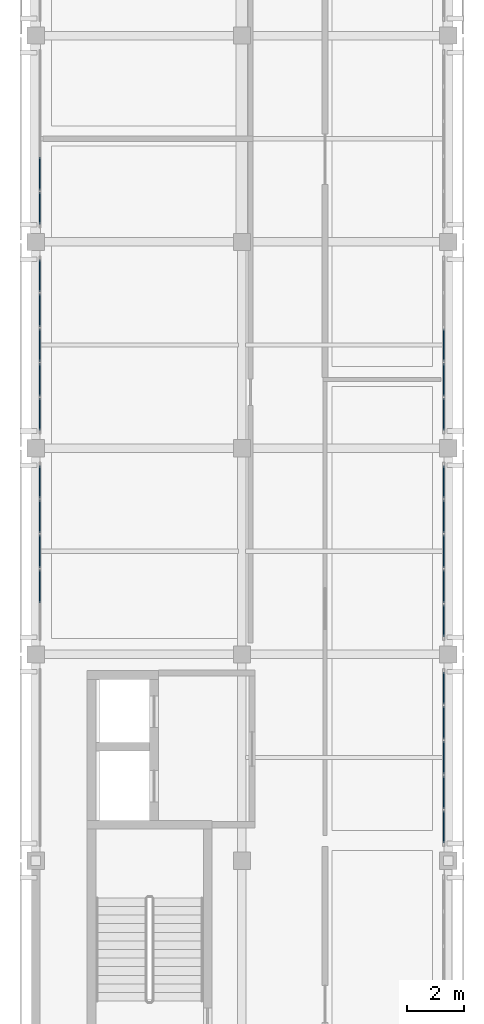
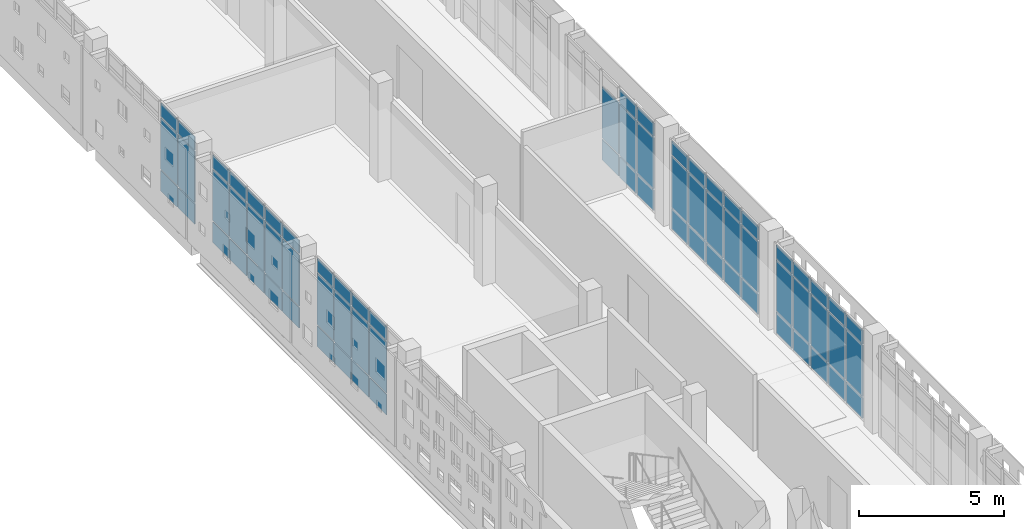
# One storey, part 12 of 21: 71 plates, 6 elements without a shape of their own.
"""IFC4 building model written with IfcOpenShell, lengths in metres."""

from ifc_helpers import new_model, si_unit, direction, frame, origin, origin_2d, place, context, subcontext, project, spatial, rectangle, extrude, material, layer, layer_set, type_object, element, aggregate, save


model = new_model("IFC4")

# Units and contexts
model_context = context("Model", 3, precision=1e-05, world=origin(), true_north=direction((0.0, 1.0)))
body_context = subcontext(model_context, "Body", "Model", "MODEL_VIEW")
ifc_project = project(units=[si_unit("LENGTHUNIT", "METRE"), si_unit("AREAUNIT", "SQUARE_METRE"), si_unit("VOLUMEUNIT", "CUBIC_METRE"), si_unit("PLANEANGLEUNIT", "RADIAN"), si_unit("MASSUNIT", "GRAM", prefix="KILO")], contexts=[model_context])

# Site, building, storey
site_placement = place(None, origin())
site = spatial("IfcSite", under=ifc_project, at=site_placement, CompositionType="ELEMENT")
building_placement = place(site_placement, origin())
building = spatial("IfcBuilding", under=site, at=building_placement, Name="Valkovuoma Quantum and Materials Research Institute", CompositionType="ELEMENT")
storey_placement = place(building_placement, frame((0.0, 0.0, 33.919921875)))
storey = spatial("IfcBuildingStorey", under=building, at=storey_placement, Name="L08", CompositionType="ELEMENT", Elevation=33.919921875)

# Curtain wall, plates
ifc_material_1 = material(Name="Thermally broken aluminium and triple low-E glazing", Category="aluminium")
ifc_layer_1 = layer(ifc_material_1, 0.219970703125)
ifc_layer_set_1 = layer_set([ifc_layer_1], Name="Thermally broken aluminium and triple low-E glazing")
curtain_wall_type = type_object("IfcCurtainWallType", Name="CW-CW-01", PredefinedType="NOTDEFINED", material=ifc_layer_set_1)
curtain_wall_1_placement = place(storey_placement, origin())
curtain_wall_1 = element("IfcCurtainWall", 1, at=curtain_wall_1_placement, inside=storey, type_object=curtain_wall_type, Name="L08 curtain wall 114", PredefinedType="NOTDEFINED")
ifc_material_2 = material(Name="Triple low-E argon insulating glass", Category="glass")
ifc_layer_2 = layer(ifc_material_2, 0.035888671875)
ifc_layer_set_2 = layer_set([ifc_layer_2], Name="Triple low-E argon insulating glass")
plate_type_1 = type_object("IfcPlateType", Name="CWPanel-CWP-01", PredefinedType="CURTAIN_PANEL", material=ifc_layer_set_2)
plate_1_placement = place(storey_placement, frame((0.14990234375, 45.582763671875, 0.06494140625), z_axis=(0.0, 0.0, 1.0), x_axis=(0.0, 1.0, 0.0)))
plate_1 = element("IfcPlate", 2, at=plate_1_placement, type_object=plate_type_1, Name="CW-01 panel 2.1", PredefinedType="CURTAIN_PANEL", context=body_context, shape_type="SweptSolid", body=[
    extrude(rectangle(XDim=1.152099609375, YDim=0.035888671875, at=origin_2d()), origin(), (0.0, 0.0, 1.0), 0.8525390625),
])
plate_2_placement = place(storey_placement, frame((0.14990234375, 45.582763671875, 0.982666015625), z_axis=(0.0, 0.0, 1.0), x_axis=(0.0, 1.0, 0.0)))
plate_2 = element("IfcPlate", 3, at=plate_2_placement, type_object=plate_type_1, Name="CW-01 panel 2.2", PredefinedType="CURTAIN_PANEL", context=body_context, shape_type="SweptSolid", body=[
    extrude(rectangle(XDim=1.152099609375, YDim=0.035888671875, at=origin_2d()), origin(), (0.0, 0.0, 1.0), 2.14501953125),
])
plate_3_placement = place(storey_placement, frame((0.14990234375, 45.582763671875, 3.1923828125), z_axis=(0.0, 0.0, 1.0), x_axis=(0.0, 1.0, 0.0)))
plate_3 = element("IfcPlate", 4, at=plate_3_placement, type_object=plate_type_1, Name="CW-01 panel 2.3", PredefinedType="CURTAIN_PANEL", context=body_context, shape_type="SweptSolid", body=[
    extrude(rectangle(XDim=1.152099609375, YDim=0.035888671875, at=origin_2d()), origin(), (0.0, 0.0, 1.0), 0.552490234375),
])
plate_4_placement = place(storey_placement, frame((0.14990234375, 46.800048828125, 0.06494140625), z_axis=(0.0, 0.0, 1.0), x_axis=(0.0, 1.0, 0.0)))
plate_4 = element("IfcPlate", 5, at=plate_4_placement, type_object=plate_type_1, Name="CW-01 panel 3.1", PredefinedType="CURTAIN_PANEL", context=body_context, shape_type="SweptSolid", body=[
    extrude(rectangle(XDim=1.152099609375, YDim=0.035888671875, at=origin_2d()), origin(), (0.0, 0.0, 1.0), 0.8525390625),
])
plate_5_placement = place(storey_placement, frame((0.14990234375, 46.800048828125, 0.982666015625), z_axis=(0.0, 0.0, 1.0), x_axis=(0.0, 1.0, 0.0)))
plate_5 = element("IfcPlate", 6, at=plate_5_placement, type_object=plate_type_1, Name="CW-01 panel 3.2", PredefinedType="CURTAIN_PANEL", context=body_context, shape_type="SweptSolid", body=[
    extrude(rectangle(XDim=1.152099609375, YDim=0.035888671875, at=origin_2d()), origin(), (0.0, 0.0, 1.0), 2.14501953125),
])
plate_6_placement = place(storey_placement, frame((0.14990234375, 46.800048828125, 3.1923828125), z_axis=(0.0, 0.0, 1.0), x_axis=(0.0, 1.0, 0.0)))
plate_6 = element("IfcPlate", 7, at=plate_6_placement, type_object=plate_type_1, Name="CW-01 panel 3.3", PredefinedType="CURTAIN_PANEL", context=body_context, shape_type="SweptSolid", body=[
    extrude(rectangle(XDim=1.152099609375, YDim=0.035888671875, at=origin_2d()), origin(), (0.0, 0.0, 1.0), 0.552490234375),
])
plate_7_placement = place(storey_placement, frame((0.14990234375, 48.01708984375, 0.06494140625), z_axis=(0.0, 0.0, 1.0), x_axis=(0.0, 1.0, 0.0)))
plate_7 = element("IfcPlate", 8, at=plate_7_placement, type_object=plate_type_1, Name="CW-01 panel 4.1", PredefinedType="CURTAIN_PANEL", context=body_context, shape_type="SweptSolid", body=[
    extrude(rectangle(XDim=1.152099609375, YDim=0.035888671875, at=origin_2d()), origin(), (0.0, 0.0, 1.0), 0.8525390625),
])
plate_8_placement = place(storey_placement, frame((0.14990234375, 48.01708984375, 0.982666015625), z_axis=(0.0, 0.0, 1.0), x_axis=(0.0, 1.0, 0.0)))
plate_8 = element("IfcPlate", 9, at=plate_8_placement, type_object=plate_type_1, Name="CW-01 panel 4.2", PredefinedType="CURTAIN_PANEL", context=body_context, shape_type="SweptSolid", body=[
    extrude(rectangle(XDim=1.152099609375, YDim=0.035888671875, at=origin_2d()), origin(), (0.0, 0.0, 1.0), 2.14501953125),
])
plate_9_placement = place(storey_placement, frame((0.14990234375, 48.01708984375, 3.1923828125), z_axis=(0.0, 0.0, 1.0), x_axis=(0.0, 1.0, 0.0)))
plate_9 = element("IfcPlate", 10, at=plate_9_placement, type_object=plate_type_1, Name="CW-01 panel 4.3", PredefinedType="CURTAIN_PANEL", context=body_context, shape_type="SweptSolid", body=[
    extrude(rectangle(XDim=1.152099609375, YDim=0.035888671875, at=origin_2d()), origin(), (0.0, 0.0, 1.0), 0.552490234375),
])
plate_10_placement = place(storey_placement, frame((0.14990234375, 49.218017578125, 0.06494140625), z_axis=(0.0, 0.0, 1.0), x_axis=(0.0, 1.0, 0.0)))
plate_10 = element("IfcPlate", 11, at=plate_10_placement, type_object=plate_type_1, Name="CW-01 panel 5.1", PredefinedType="CURTAIN_PANEL", context=body_context, shape_type="SweptSolid", body=[
    extrude(rectangle(XDim=1.11962890625, YDim=0.035888671875, at=origin_2d()), origin(), (0.0, 0.0, 1.0), 0.8525390625),
])
plate_11_placement = place(storey_placement, frame((0.14990234375, 49.218017578125, 0.982666015625), z_axis=(0.0, 0.0, 1.0), x_axis=(0.0, 1.0, 0.0)))
plate_11 = element("IfcPlate", 12, at=plate_11_placement, type_object=plate_type_1, Name="CW-01 panel 5.2", PredefinedType="CURTAIN_PANEL", context=body_context, shape_type="SweptSolid", body=[
    extrude(rectangle(XDim=1.11962890625, YDim=0.035888671875, at=origin_2d()), origin(), (0.0, 0.0, 1.0), 2.14501953125),
])
plate_12_placement = place(storey_placement, frame((0.14990234375, 49.218017578125, 3.1923828125), z_axis=(0.0, 0.0, 1.0), x_axis=(0.0, 1.0, 0.0)))
plate_12 = element("IfcPlate", 13, at=plate_12_placement, type_object=plate_type_1, Name="CW-01 panel 5.3", PredefinedType="CURTAIN_PANEL", context=body_context, shape_type="SweptSolid", body=[
    extrude(rectangle(XDim=1.11962890625, YDim=0.035888671875, at=origin_2d()), origin(), (0.0, 0.0, 1.0), 0.552490234375),
])
aggregate(curtain_wall_1, [plate_1, plate_2, plate_3, plate_4, plate_5, plate_6, plate_7, plate_8, plate_9, plate_10, plate_11, plate_12])

curtain_wall_2_placement = place(storey_placement, origin())
curtain_wall_2 = element("IfcCurtainWall", 14, at=curtain_wall_2_placement, inside=storey, type_object=curtain_wall_type, Name="L08 curtain wall 116", PredefinedType="NOTDEFINED")
plate_13_placement = place(storey_placement, frame((0.14990234375, 51.58203125, 0.06494140625), z_axis=(0.0, 0.0, 1.0), x_axis=(0.0, 1.0, 0.0)))
plate_13 = element("IfcPlate", 15, at=plate_13_placement, type_object=plate_type_1, Name="CW-01 panel 1.1", PredefinedType="CURTAIN_PANEL", context=body_context, shape_type="SweptSolid", body=[
    extrude(rectangle(XDim=1.11962890625, YDim=0.035888671875, at=origin_2d()), origin(), (0.0, 0.0, 1.0), 0.8525390625),
])
plate_14_placement = place(storey_placement, frame((0.14990234375, 51.58203125, 0.982666015625), z_axis=(0.0, 0.0, 1.0), x_axis=(0.0, 1.0, 0.0)))
plate_14 = element("IfcPlate", 16, at=plate_14_placement, type_object=plate_type_1, Name="CW-01 panel 1.2", PredefinedType="CURTAIN_PANEL", context=body_context, shape_type="SweptSolid", body=[
    extrude(rectangle(XDim=1.11962890625, YDim=0.035888671875, at=origin_2d()), origin(), (0.0, 0.0, 1.0), 2.14501953125),
])
plate_15_placement = place(storey_placement, frame((0.14990234375, 51.58203125, 3.1923828125), z_axis=(0.0, 0.0, 1.0), x_axis=(0.0, 1.0, 0.0)))
plate_15 = element("IfcPlate", 17, at=plate_15_placement, type_object=plate_type_1, Name="CW-01 panel 1.3", PredefinedType="CURTAIN_PANEL", context=body_context, shape_type="SweptSolid", body=[
    extrude(rectangle(XDim=1.11962890625, YDim=0.035888671875, at=origin_2d()), origin(), (0.0, 0.0, 1.0), 0.552490234375),
])
plate_16_placement = place(storey_placement, frame((0.14990234375, 52.782958984375, 0.06494140625), z_axis=(0.0, 0.0, 1.0), x_axis=(0.0, 1.0, 0.0)))
plate_16 = element("IfcPlate", 18, at=plate_16_placement, type_object=plate_type_1, Name="CW-01 panel 2.1", PredefinedType="CURTAIN_PANEL", context=body_context, shape_type="SweptSolid", body=[
    extrude(rectangle(XDim=1.152099609375, YDim=0.035888671875, at=origin_2d()), origin(), (0.0, 0.0, 1.0), 0.8525390625),
])
plate_17_placement = place(storey_placement, frame((0.14990234375, 52.782958984375, 0.982666015625), z_axis=(0.0, 0.0, 1.0), x_axis=(0.0, 1.0, 0.0)))
plate_17 = element("IfcPlate", 19, at=plate_17_placement, type_object=plate_type_1, Name="CW-01 panel 2.2", PredefinedType="CURTAIN_PANEL", context=body_context, shape_type="SweptSolid", body=[
    extrude(rectangle(XDim=1.152099609375, YDim=0.035888671875, at=origin_2d()), origin(), (0.0, 0.0, 1.0), 2.14501953125),
])
plate_18_placement = place(storey_placement, frame((0.14990234375, 52.782958984375, 3.1923828125), z_axis=(0.0, 0.0, 1.0), x_axis=(0.0, 1.0, 0.0)))
plate_18 = element("IfcPlate", 20, at=plate_18_placement, type_object=plate_type_1, Name="CW-01 panel 2.3", PredefinedType="CURTAIN_PANEL", context=body_context, shape_type="SweptSolid", body=[
    extrude(rectangle(XDim=1.152099609375, YDim=0.035888671875, at=origin_2d()), origin(), (0.0, 0.0, 1.0), 0.552490234375),
])
plate_19_placement = place(storey_placement, frame((0.14990234375, 54.0, 0.06494140625), z_axis=(0.0, 0.0, 1.0), x_axis=(0.0, 1.0, 0.0)))
plate_19 = element("IfcPlate", 21, at=plate_19_placement, type_object=plate_type_1, Name="CW-01 panel 3.1", PredefinedType="CURTAIN_PANEL", context=body_context, shape_type="SweptSolid", body=[
    extrude(rectangle(XDim=1.152099609375, YDim=0.035888671875, at=origin_2d()), origin(), (0.0, 0.0, 1.0), 0.8525390625),
])
plate_20_placement = place(storey_placement, frame((0.14990234375, 54.0, 0.982666015625), z_axis=(0.0, 0.0, 1.0), x_axis=(0.0, 1.0, 0.0)))
plate_20 = element("IfcPlate", 22, at=plate_20_placement, type_object=plate_type_1, Name="CW-01 panel 3.2", PredefinedType="CURTAIN_PANEL", context=body_context, shape_type="SweptSolid", body=[
    extrude(rectangle(XDim=1.152099609375, YDim=0.035888671875, at=origin_2d()), origin(), (0.0, 0.0, 1.0), 2.14501953125),
])
plate_21_placement = place(storey_placement, frame((0.14990234375, 54.0, 3.1923828125), z_axis=(0.0, 0.0, 1.0), x_axis=(0.0, 1.0, 0.0)))
plate_21 = element("IfcPlate", 23, at=plate_21_placement, type_object=plate_type_1, Name="CW-01 panel 3.3", PredefinedType="CURTAIN_PANEL", context=body_context, shape_type="SweptSolid", body=[
    extrude(rectangle(XDim=1.152099609375, YDim=0.035888671875, at=origin_2d()), origin(), (0.0, 0.0, 1.0), 0.552490234375),
])
plate_22_placement = place(storey_placement, frame((0.14990234375, 55.217041015625, 0.06494140625), z_axis=(0.0, 0.0, 1.0), x_axis=(0.0, 1.0, 0.0)))
plate_22 = element("IfcPlate", 24, at=plate_22_placement, type_object=plate_type_1, Name="CW-01 panel 4.1", PredefinedType="CURTAIN_PANEL", context=body_context, shape_type="SweptSolid", body=[
    extrude(rectangle(XDim=1.152099609375, YDim=0.035888671875, at=origin_2d()), origin(), (0.0, 0.0, 1.0), 0.8525390625),
])
plate_23_placement = place(storey_placement, frame((0.14990234375, 55.217041015625, 0.982666015625), z_axis=(0.0, 0.0, 1.0), x_axis=(0.0, 1.0, 0.0)))
plate_23 = element("IfcPlate", 25, at=plate_23_placement, type_object=plate_type_1, Name="CW-01 panel 4.2", PredefinedType="CURTAIN_PANEL", context=body_context, shape_type="SweptSolid", body=[
    extrude(rectangle(XDim=1.152099609375, YDim=0.035888671875, at=origin_2d()), origin(), (0.0, 0.0, 1.0), 2.14501953125),
])
plate_24_placement = place(storey_placement, frame((0.14990234375, 55.217041015625, 3.1923828125), z_axis=(0.0, 0.0, 1.0), x_axis=(0.0, 1.0, 0.0)))
plate_24 = element("IfcPlate", 26, at=plate_24_placement, type_object=plate_type_1, Name="CW-01 panel 4.3", PredefinedType="CURTAIN_PANEL", context=body_context, shape_type="SweptSolid", body=[
    extrude(rectangle(XDim=1.152099609375, YDim=0.035888671875, at=origin_2d()), origin(), (0.0, 0.0, 1.0), 0.552490234375),
])
plate_25_placement = place(storey_placement, frame((0.14990234375, 56.41796875, 0.06494140625), z_axis=(0.0, 0.0, 1.0), x_axis=(0.0, 1.0, 0.0)))
plate_25 = element("IfcPlate", 27, at=plate_25_placement, type_object=plate_type_1, Name="CW-01 panel 5.1", PredefinedType="CURTAIN_PANEL", context=body_context, shape_type="SweptSolid", body=[
    extrude(rectangle(XDim=1.11962890625, YDim=0.035888671875, at=origin_2d()), origin(), (0.0, 0.0, 1.0), 0.8525390625),
])
plate_26_placement = place(storey_placement, frame((0.14990234375, 56.41796875, 0.982666015625), z_axis=(0.0, 0.0, 1.0), x_axis=(0.0, 1.0, 0.0)))
plate_26 = element("IfcPlate", 28, at=plate_26_placement, type_object=plate_type_1, Name="CW-01 panel 5.2", PredefinedType="CURTAIN_PANEL", context=body_context, shape_type="SweptSolid", body=[
    extrude(rectangle(XDim=1.11962890625, YDim=0.035888671875, at=origin_2d()), origin(), (0.0, 0.0, 1.0), 2.14501953125),
])
plate_27_placement = place(storey_placement, frame((0.14990234375, 56.41796875, 3.1923828125), z_axis=(0.0, 0.0, 1.0), x_axis=(0.0, 1.0, 0.0)))
plate_27 = element("IfcPlate", 29, at=plate_27_placement, type_object=plate_type_1, Name="CW-01 panel 5.3", PredefinedType="CURTAIN_PANEL", context=body_context, shape_type="SweptSolid", body=[
    extrude(rectangle(XDim=1.11962890625, YDim=0.035888671875, at=origin_2d()), origin(), (0.0, 0.0, 1.0), 0.552490234375),
])
aggregate(curtain_wall_2, [plate_13, plate_14, plate_15, plate_16, plate_17, plate_18, plate_19, plate_20, plate_21, plate_22, plate_23, plate_24, plate_25, plate_26, plate_27])

curtain_wall_3_placement = place(storey_placement, origin())
curtain_wall_3 = element("IfcCurtainWall", 30, at=curtain_wall_3_placement, inside=storey, type_object=curtain_wall_type, Name="L08 curtain wall 118", PredefinedType="NOTDEFINED")
plate_28_placement = place(storey_placement, frame((0.14990234375, 58.781982421875, 0.06494140625), z_axis=(0.0, 0.0, 1.0), x_axis=(0.0, 1.0, 0.0)))
plate_28 = element("IfcPlate", 31, at=plate_28_placement, type_object=plate_type_1, Name="CW-01 panel 1.1", PredefinedType="CURTAIN_PANEL", context=body_context, shape_type="SweptSolid", body=[
    extrude(rectangle(XDim=1.11962890625, YDim=0.035888671875, at=origin_2d()), origin(), (0.0, 0.0, 1.0), 0.8525390625),
])
plate_29_placement = place(storey_placement, frame((0.14990234375, 58.781982421875, 0.982666015625), z_axis=(0.0, 0.0, 1.0), x_axis=(0.0, 1.0, 0.0)))
plate_29 = element("IfcPlate", 32, at=plate_29_placement, type_object=plate_type_1, Name="CW-01 panel 1.2", PredefinedType="CURTAIN_PANEL", context=body_context, shape_type="SweptSolid", body=[
    extrude(rectangle(XDim=1.11962890625, YDim=0.035888671875, at=origin_2d()), origin(), (0.0, 0.0, 1.0), 2.14501953125),
])
plate_30_placement = place(storey_placement, frame((0.14990234375, 58.781982421875, 3.1923828125), z_axis=(0.0, 0.0, 1.0), x_axis=(0.0, 1.0, 0.0)))
plate_30 = element("IfcPlate", 33, at=plate_30_placement, type_object=plate_type_1, Name="CW-01 panel 1.3", PredefinedType="CURTAIN_PANEL", context=body_context, shape_type="SweptSolid", body=[
    extrude(rectangle(XDim=1.11962890625, YDim=0.035888671875, at=origin_2d()), origin(), (0.0, 0.0, 1.0), 0.552490234375),
])
plate_31_placement = place(storey_placement, frame((0.14990234375, 59.98291015625, 0.06494140625), z_axis=(0.0, 0.0, 1.0), x_axis=(0.0, 1.0, 0.0)))
plate_31 = element("IfcPlate", 34, at=plate_31_placement, type_object=plate_type_1, Name="CW-01 panel 2.1", PredefinedType="CURTAIN_PANEL", context=body_context, shape_type="SweptSolid", body=[
    extrude(rectangle(XDim=1.152099609375, YDim=0.035888671875, at=origin_2d()), origin(), (0.0, 0.0, 1.0), 0.8525390625),
])
plate_32_placement = place(storey_placement, frame((0.14990234375, 59.98291015625, 0.982666015625), z_axis=(0.0, 0.0, 1.0), x_axis=(0.0, 1.0, 0.0)))
plate_32 = element("IfcPlate", 35, at=plate_32_placement, type_object=plate_type_1, Name="CW-01 panel 2.2", PredefinedType="CURTAIN_PANEL", context=body_context, shape_type="SweptSolid", body=[
    extrude(rectangle(XDim=1.152099609375, YDim=0.035888671875, at=origin_2d()), origin(), (0.0, 0.0, 1.0), 2.14501953125),
])
plate_33_placement = place(storey_placement, frame((0.14990234375, 59.98291015625, 3.1923828125), z_axis=(0.0, 0.0, 1.0), x_axis=(0.0, 1.0, 0.0)))
plate_33 = element("IfcPlate", 36, at=plate_33_placement, type_object=plate_type_1, Name="CW-01 panel 2.3", PredefinedType="CURTAIN_PANEL", context=body_context, shape_type="SweptSolid", body=[
    extrude(rectangle(XDim=1.152099609375, YDim=0.035888671875, at=origin_2d()), origin(), (0.0, 0.0, 1.0), 0.552490234375),
])
aggregate(curtain_wall_3, [plate_28, plate_29, plate_30, plate_31, plate_32, plate_33])

curtain_wall_4_placement = place(storey_placement, origin())
curtain_wall_4 = element("IfcCurtainWall", 37, at=curtain_wall_4_placement, inside=storey, type_object=curtain_wall_type, Name="L08 curtain wall 113", PredefinedType="NOTDEFINED")
ifc_material_3 = material(Name="Triple low-E argon insulating glass", Category="glass")
ifc_layer_3 = layer(ifc_material_3, 0.0419921875)
ifc_layer_set_3 = layer_set([ifc_layer_3], Name="Triple low-E argon insulating glass")
plate_type_2 = type_object("IfcPlateType", Name="CWPanel-CWP-02", PredefinedType="CURTAIN_PANEL", material=ifc_layer_set_3)
plate_34_placement = place(storey_placement, frame((14.25, 37.181884765625, 0.06494140625), z_axis=(0.0, 0.0, 1.0), x_axis=(0.0, 1.0, 0.0)))
plate_34 = element("IfcPlate", 38, at=plate_34_placement, type_object=plate_type_2, Name="CW-01 panel 1.1", PredefinedType="CURTAIN_PANEL", context=body_context, shape_type="SweptSolid", body=[
    extrude(rectangle(XDim=1.11962890625, YDim=0.0419921875, at=origin_2d()), origin(), (0.0, 0.0, 1.0), 0.8525390625),
])
plate_35_placement = place(storey_placement, frame((14.25, 37.181884765625, 0.982666015625), z_axis=(0.0, 0.0, 1.0), x_axis=(0.0, 1.0, 0.0)))
plate_35 = element("IfcPlate", 39, at=plate_35_placement, type_object=plate_type_2, Name="CW-01 panel 1.2", PredefinedType="CURTAIN_PANEL", context=body_context, shape_type="SweptSolid", body=[
    extrude(rectangle(XDim=1.11962890625, YDim=0.0419921875, at=origin_2d()), origin(), (0.0, 0.0, 1.0), 2.14501953125),
])
plate_36_placement = place(storey_placement, frame((14.25, 37.181884765625, 3.1923828125), z_axis=(0.0, 0.0, 1.0), x_axis=(0.0, 1.0, 0.0)))
plate_36 = element("IfcPlate", 40, at=plate_36_placement, type_object=plate_type_2, Name="CW-01 panel 1.3", PredefinedType="CURTAIN_PANEL", context=body_context, shape_type="SweptSolid", body=[
    extrude(rectangle(XDim=1.11962890625, YDim=0.0419921875, at=origin_2d()), origin(), (0.0, 0.0, 1.0), 0.552490234375),
])
plate_37_placement = place(storey_placement, frame((14.25, 38.3828125, 0.06494140625), z_axis=(0.0, 0.0, 1.0), x_axis=(0.0, 1.0, 0.0)))
plate_37 = element("IfcPlate", 41, at=plate_37_placement, type_object=plate_type_2, Name="CW-01 panel 2.1", PredefinedType="CURTAIN_PANEL", context=body_context, shape_type="SweptSolid", body=[
    extrude(rectangle(XDim=1.152099609375, YDim=0.0419921875, at=origin_2d()), origin(), (0.0, 0.0, 1.0), 0.8525390625),
])
plate_38_placement = place(storey_placement, frame((14.25, 38.3828125, 0.982666015625), z_axis=(0.0, 0.0, 1.0), x_axis=(0.0, 1.0, 0.0)))
plate_38 = element("IfcPlate", 42, at=plate_38_placement, type_object=plate_type_2, Name="CW-01 panel 2.2", PredefinedType="CURTAIN_PANEL", context=body_context, shape_type="SweptSolid", body=[
    extrude(rectangle(XDim=1.152099609375, YDim=0.0419921875, at=origin_2d()), origin(), (0.0, 0.0, 1.0), 2.14501953125),
])
plate_39_placement = place(storey_placement, frame((14.25, 38.3828125, 3.1923828125), z_axis=(0.0, 0.0, 1.0), x_axis=(0.0, 1.0, 0.0)))
plate_39 = element("IfcPlate", 43, at=plate_39_placement, type_object=plate_type_2, Name="CW-01 panel 2.3", PredefinedType="CURTAIN_PANEL", context=body_context, shape_type="SweptSolid", body=[
    extrude(rectangle(XDim=1.152099609375, YDim=0.0419921875, at=origin_2d()), origin(), (0.0, 0.0, 1.0), 0.552490234375),
])
plate_40_placement = place(storey_placement, frame((14.25, 39.60009765625, 0.06494140625), z_axis=(0.0, 0.0, 1.0), x_axis=(0.0, 1.0, 0.0)))
plate_40 = element("IfcPlate", 44, at=plate_40_placement, type_object=plate_type_2, Name="CW-01 panel 3.1", PredefinedType="CURTAIN_PANEL", context=body_context, shape_type="SweptSolid", body=[
    extrude(rectangle(XDim=1.152099609375, YDim=0.0419921875, at=origin_2d()), origin(), (0.0, 0.0, 1.0), 0.8525390625),
])
plate_41_placement = place(storey_placement, frame((14.25, 39.60009765625, 0.982666015625), z_axis=(0.0, 0.0, 1.0), x_axis=(0.0, 1.0, 0.0)))
plate_41 = element("IfcPlate", 45, at=plate_41_placement, type_object=plate_type_2, Name="CW-01 panel 3.2", PredefinedType="CURTAIN_PANEL", context=body_context, shape_type="SweptSolid", body=[
    extrude(rectangle(XDim=1.152099609375, YDim=0.0419921875, at=origin_2d()), origin(), (0.0, 0.0, 1.0), 2.14501953125),
])
plate_42_placement = place(storey_placement, frame((14.25, 39.60009765625, 3.1923828125), z_axis=(0.0, 0.0, 1.0), x_axis=(0.0, 1.0, 0.0)))
plate_42 = element("IfcPlate", 46, at=plate_42_placement, type_object=plate_type_2, Name="CW-01 panel 3.3", PredefinedType="CURTAIN_PANEL", context=body_context, shape_type="SweptSolid", body=[
    extrude(rectangle(XDim=1.152099609375, YDim=0.0419921875, at=origin_2d()), origin(), (0.0, 0.0, 1.0), 0.552490234375),
])
plate_43_placement = place(storey_placement, frame((14.25, 40.817138671875, 0.06494140625), z_axis=(0.0, 0.0, 1.0), x_axis=(0.0, 1.0, 0.0)))
plate_43 = element("IfcPlate", 47, at=plate_43_placement, type_object=plate_type_2, Name="CW-01 panel 4.1", PredefinedType="CURTAIN_PANEL", context=body_context, shape_type="SweptSolid", body=[
    extrude(rectangle(XDim=1.152099609375, YDim=0.0419921875, at=origin_2d()), origin(), (0.0, 0.0, 1.0), 0.8525390625),
])
plate_44_placement = place(storey_placement, frame((14.25, 40.817138671875, 0.982666015625), z_axis=(0.0, 0.0, 1.0), x_axis=(0.0, 1.0, 0.0)))
plate_44 = element("IfcPlate", 48, at=plate_44_placement, type_object=plate_type_2, Name="CW-01 panel 4.2", PredefinedType="CURTAIN_PANEL", context=body_context, shape_type="SweptSolid", body=[
    extrude(rectangle(XDim=1.152099609375, YDim=0.0419921875, at=origin_2d()), origin(), (0.0, 0.0, 1.0), 2.14501953125),
])
plate_45_placement = place(storey_placement, frame((14.25, 40.817138671875, 3.1923828125), z_axis=(0.0, 0.0, 1.0), x_axis=(0.0, 1.0, 0.0)))
plate_45 = element("IfcPlate", 49, at=plate_45_placement, type_object=plate_type_2, Name="CW-01 panel 4.3", PredefinedType="CURTAIN_PANEL", context=body_context, shape_type="SweptSolid", body=[
    extrude(rectangle(XDim=1.152099609375, YDim=0.0419921875, at=origin_2d()), origin(), (0.0, 0.0, 1.0), 0.552490234375),
])
plate_46_placement = place(storey_placement, frame((14.25, 42.01806640625, 0.06494140625), z_axis=(0.0, 0.0, 1.0), x_axis=(0.0, 1.0, 0.0)))
plate_46 = element("IfcPlate", 50, at=plate_46_placement, type_object=plate_type_2, Name="CW-01 panel 5.1", PredefinedType="CURTAIN_PANEL", context=body_context, shape_type="SweptSolid", body=[
    extrude(rectangle(XDim=1.11962890625, YDim=0.0419921875, at=origin_2d()), origin(), (0.0, 0.0, 1.0), 0.8525390625),
])
plate_47_placement = place(storey_placement, frame((14.25, 42.01806640625, 0.982666015625), z_axis=(0.0, 0.0, 1.0), x_axis=(0.0, 1.0, 0.0)))
plate_47 = element("IfcPlate", 51, at=plate_47_placement, type_object=plate_type_2, Name="CW-01 panel 5.2", PredefinedType="CURTAIN_PANEL", context=body_context, shape_type="SweptSolid", body=[
    extrude(rectangle(XDim=1.11962890625, YDim=0.0419921875, at=origin_2d()), origin(), (0.0, 0.0, 1.0), 2.14501953125),
])
plate_48_placement = place(storey_placement, frame((14.25, 42.01806640625, 3.1923828125), z_axis=(0.0, 0.0, 1.0), x_axis=(0.0, 1.0, 0.0)))
plate_48 = element("IfcPlate", 52, at=plate_48_placement, type_object=plate_type_2, Name="CW-01 panel 5.3", PredefinedType="CURTAIN_PANEL", context=body_context, shape_type="SweptSolid", body=[
    extrude(rectangle(XDim=1.11962890625, YDim=0.0419921875, at=origin_2d()), origin(), (0.0, 0.0, 1.0), 0.552490234375),
])
aggregate(curtain_wall_4, [plate_34, plate_35, plate_36, plate_37, plate_38, plate_39, plate_40, plate_41, plate_42, plate_43, plate_44, plate_45, plate_46, plate_47, plate_48])

curtain_wall_5_placement = place(storey_placement, origin())
curtain_wall_5 = element("IfcCurtainWall", 53, at=curtain_wall_5_placement, inside=storey, type_object=curtain_wall_type, Name="L08 curtain wall 115", PredefinedType="NOTDEFINED")
plate_49_placement = place(storey_placement, frame((14.25, 44.3818359375, 0.06494140625), z_axis=(0.0, 0.0, 1.0), x_axis=(0.0, 1.0, 0.0)))
plate_49 = element("IfcPlate", 54, at=plate_49_placement, type_object=plate_type_2, Name="CW-01 panel 1.1", PredefinedType="CURTAIN_PANEL", context=body_context, shape_type="SweptSolid", body=[
    extrude(rectangle(XDim=1.11962890625, YDim=0.0419921875, at=origin_2d()), origin(), (0.0, 0.0, 1.0), 0.8525390625),
])
plate_50_placement = place(storey_placement, frame((14.25, 44.3818359375, 0.982666015625), z_axis=(0.0, 0.0, 1.0), x_axis=(0.0, 1.0, 0.0)))
plate_50 = element("IfcPlate", 55, at=plate_50_placement, type_object=plate_type_2, Name="CW-01 panel 1.2", PredefinedType="CURTAIN_PANEL", context=body_context, shape_type="SweptSolid", body=[
    extrude(rectangle(XDim=1.11962890625, YDim=0.0419921875, at=origin_2d()), origin(), (0.0, 0.0, 1.0), 2.14501953125),
])
plate_51_placement = place(storey_placement, frame((14.25, 44.3818359375, 3.1923828125), z_axis=(0.0, 0.0, 1.0), x_axis=(0.0, 1.0, 0.0)))
plate_51 = element("IfcPlate", 56, at=plate_51_placement, type_object=plate_type_2, Name="CW-01 panel 1.3", PredefinedType="CURTAIN_PANEL", context=body_context, shape_type="SweptSolid", body=[
    extrude(rectangle(XDim=1.11962890625, YDim=0.0419921875, at=origin_2d()), origin(), (0.0, 0.0, 1.0), 0.552490234375),
])
plate_52_placement = place(storey_placement, frame((14.25, 45.582763671875, 0.06494140625), z_axis=(0.0, 0.0, 1.0), x_axis=(0.0, 1.0, 0.0)))
plate_52 = element("IfcPlate", 57, at=plate_52_placement, type_object=plate_type_2, Name="CW-01 panel 2.1", PredefinedType="CURTAIN_PANEL", context=body_context, shape_type="SweptSolid", body=[
    extrude(rectangle(XDim=1.152099609375, YDim=0.0419921875, at=origin_2d()), origin(), (0.0, 0.0, 1.0), 0.8525390625),
])
plate_53_placement = place(storey_placement, frame((14.25, 45.582763671875, 0.982666015625), z_axis=(0.0, 0.0, 1.0), x_axis=(0.0, 1.0, 0.0)))
plate_53 = element("IfcPlate", 58, at=plate_53_placement, type_object=plate_type_2, Name="CW-01 panel 2.2", PredefinedType="CURTAIN_PANEL", context=body_context, shape_type="SweptSolid", body=[
    extrude(rectangle(XDim=1.152099609375, YDim=0.0419921875, at=origin_2d()), origin(), (0.0, 0.0, 1.0), 2.14501953125),
])
plate_54_placement = place(storey_placement, frame((14.25, 45.582763671875, 3.1923828125), z_axis=(0.0, 0.0, 1.0), x_axis=(0.0, 1.0, 0.0)))
plate_54 = element("IfcPlate", 59, at=plate_54_placement, type_object=plate_type_2, Name="CW-01 panel 2.3", PredefinedType="CURTAIN_PANEL", context=body_context, shape_type="SweptSolid", body=[
    extrude(rectangle(XDim=1.152099609375, YDim=0.0419921875, at=origin_2d()), origin(), (0.0, 0.0, 1.0), 0.552490234375),
])
plate_55_placement = place(storey_placement, frame((14.25, 46.800048828125, 0.06494140625), z_axis=(0.0, 0.0, 1.0), x_axis=(0.0, 1.0, 0.0)))
plate_55 = element("IfcPlate", 60, at=plate_55_placement, type_object=plate_type_2, Name="CW-01 panel 3.1", PredefinedType="CURTAIN_PANEL", context=body_context, shape_type="SweptSolid", body=[
    extrude(rectangle(XDim=1.152099609375, YDim=0.0419921875, at=origin_2d()), origin(), (0.0, 0.0, 1.0), 0.8525390625),
])
plate_56_placement = place(storey_placement, frame((14.25, 46.800048828125, 0.982666015625), z_axis=(0.0, 0.0, 1.0), x_axis=(0.0, 1.0, 0.0)))
plate_56 = element("IfcPlate", 61, at=plate_56_placement, type_object=plate_type_2, Name="CW-01 panel 3.2", PredefinedType="CURTAIN_PANEL", context=body_context, shape_type="SweptSolid", body=[
    extrude(rectangle(XDim=1.152099609375, YDim=0.0419921875, at=origin_2d()), origin(), (0.0, 0.0, 1.0), 2.14501953125),
])
plate_57_placement = place(storey_placement, frame((14.25, 46.800048828125, 3.1923828125), z_axis=(0.0, 0.0, 1.0), x_axis=(0.0, 1.0, 0.0)))
plate_57 = element("IfcPlate", 62, at=plate_57_placement, type_object=plate_type_2, Name="CW-01 panel 3.3", PredefinedType="CURTAIN_PANEL", context=body_context, shape_type="SweptSolid", body=[
    extrude(rectangle(XDim=1.152099609375, YDim=0.0419921875, at=origin_2d()), origin(), (0.0, 0.0, 1.0), 0.552490234375),
])
plate_58_placement = place(storey_placement, frame((14.25, 48.01708984375, 0.06494140625), z_axis=(0.0, 0.0, 1.0), x_axis=(0.0, 1.0, 0.0)))
plate_58 = element("IfcPlate", 63, at=plate_58_placement, type_object=plate_type_2, Name="CW-01 panel 4.1", PredefinedType="CURTAIN_PANEL", context=body_context, shape_type="SweptSolid", body=[
    extrude(rectangle(XDim=1.152099609375, YDim=0.0419921875, at=origin_2d()), origin(), (0.0, 0.0, 1.0), 0.8525390625),
])
plate_59_placement = place(storey_placement, frame((14.25, 48.01708984375, 0.982666015625), z_axis=(0.0, 0.0, 1.0), x_axis=(0.0, 1.0, 0.0)))
plate_59 = element("IfcPlate", 64, at=plate_59_placement, type_object=plate_type_2, Name="CW-01 panel 4.2", PredefinedType="CURTAIN_PANEL", context=body_context, shape_type="SweptSolid", body=[
    extrude(rectangle(XDim=1.152099609375, YDim=0.0419921875, at=origin_2d()), origin(), (0.0, 0.0, 1.0), 2.14501953125),
])
plate_60_placement = place(storey_placement, frame((14.25, 48.01708984375, 3.1923828125), z_axis=(0.0, 0.0, 1.0), x_axis=(0.0, 1.0, 0.0)))
plate_60 = element("IfcPlate", 65, at=plate_60_placement, type_object=plate_type_2, Name="CW-01 panel 4.3", PredefinedType="CURTAIN_PANEL", context=body_context, shape_type="SweptSolid", body=[
    extrude(rectangle(XDim=1.152099609375, YDim=0.0419921875, at=origin_2d()), origin(), (0.0, 0.0, 1.0), 0.552490234375),
])
plate_61_placement = place(storey_placement, frame((14.25, 49.218017578125, 0.06494140625), z_axis=(0.0, 0.0, 1.0), x_axis=(0.0, 1.0, 0.0)))
plate_61 = element("IfcPlate", 66, at=plate_61_placement, type_object=plate_type_2, Name="CW-01 panel 5.1", PredefinedType="CURTAIN_PANEL", context=body_context, shape_type="SweptSolid", body=[
    extrude(rectangle(XDim=1.11962890625, YDim=0.0419921875, at=origin_2d()), origin(), (0.0, 0.0, 1.0), 0.8525390625),
])
plate_62_placement = place(storey_placement, frame((14.25, 49.218017578125, 0.982666015625), z_axis=(0.0, 0.0, 1.0), x_axis=(0.0, 1.0, 0.0)))
plate_62 = element("IfcPlate", 67, at=plate_62_placement, type_object=plate_type_2, Name="CW-01 panel 5.2", PredefinedType="CURTAIN_PANEL", context=body_context, shape_type="SweptSolid", body=[
    extrude(rectangle(XDim=1.11962890625, YDim=0.0419921875, at=origin_2d()), origin(), (0.0, 0.0, 1.0), 2.14501953125),
])
plate_63_placement = place(storey_placement, frame((14.25, 49.218017578125, 3.1923828125), z_axis=(0.0, 0.0, 1.0), x_axis=(0.0, 1.0, 0.0)))
plate_63 = element("IfcPlate", 68, at=plate_63_placement, type_object=plate_type_2, Name="CW-01 panel 5.3", PredefinedType="CURTAIN_PANEL", context=body_context, shape_type="SweptSolid", body=[
    extrude(rectangle(XDim=1.11962890625, YDim=0.0419921875, at=origin_2d()), origin(), (0.0, 0.0, 1.0), 0.552490234375),
])
aggregate(curtain_wall_5, [plate_49, plate_50, plate_51, plate_52, plate_53, plate_54, plate_55, plate_56, plate_57, plate_58, plate_59, plate_60, plate_61, plate_62, plate_63])

curtain_wall_6_placement = place(storey_placement, origin())
curtain_wall_6 = element("IfcCurtainWall", 69, at=curtain_wall_6_placement, inside=storey, type_object=curtain_wall_type, Name="L08 curtain wall 117", PredefinedType="NOTDEFINED")
plate_64_placement = place(storey_placement, frame((14.25, 51.58203125, 0.06494140625), z_axis=(0.0, 0.0, 1.0), x_axis=(0.0, 1.0, 0.0)))
plate_64 = element("IfcPlate", 70, at=plate_64_placement, type_object=plate_type_2, Name="CW-01 panel 1.1", PredefinedType="CURTAIN_PANEL", context=body_context, shape_type="SweptSolid", body=[
    extrude(rectangle(XDim=1.11962890625, YDim=0.0419921875, at=origin_2d()), origin(), (0.0, 0.0, 1.0), 0.8525390625),
])
plate_65_placement = place(storey_placement, frame((14.25, 51.58203125, 0.982666015625), z_axis=(0.0, 0.0, 1.0), x_axis=(0.0, 1.0, 0.0)))
plate_65 = element("IfcPlate", 71, at=plate_65_placement, type_object=plate_type_2, Name="CW-01 panel 1.2", PredefinedType="CURTAIN_PANEL", context=body_context, shape_type="SweptSolid", body=[
    extrude(rectangle(XDim=1.11962890625, YDim=0.0419921875, at=origin_2d()), origin(), (0.0, 0.0, 1.0), 2.14501953125),
])
plate_66_placement = place(storey_placement, frame((14.25, 51.58203125, 3.1923828125), z_axis=(0.0, 0.0, 1.0), x_axis=(0.0, 1.0, 0.0)))
plate_66 = element("IfcPlate", 72, at=plate_66_placement, type_object=plate_type_2, Name="CW-01 panel 1.3", PredefinedType="CURTAIN_PANEL", context=body_context, shape_type="SweptSolid", body=[
    extrude(rectangle(XDim=1.11962890625, YDim=0.0419921875, at=origin_2d()), origin(), (0.0, 0.0, 1.0), 0.552490234375),
])
plate_67_placement = place(storey_placement, frame((14.25, 52.782958984375, 0.06494140625), z_axis=(0.0, 0.0, 1.0), x_axis=(0.0, 1.0, 0.0)))
plate_67 = element("IfcPlate", 73, at=plate_67_placement, type_object=plate_type_2, Name="CW-01 panel 2.1", PredefinedType="CURTAIN_PANEL", context=body_context, shape_type="SweptSolid", body=[
    extrude(rectangle(XDim=1.152099609375, YDim=0.0419921875, at=origin_2d()), origin(), (0.0, 0.0, 1.0), 0.8525390625),
])
plate_68_placement = place(storey_placement, frame((14.25, 52.782958984375, 0.982666015625), z_axis=(0.0, 0.0, 1.0), x_axis=(0.0, 1.0, 0.0)))
plate_68 = element("IfcPlate", 74, at=plate_68_placement, type_object=plate_type_2, Name="CW-01 panel 2.2", PredefinedType="CURTAIN_PANEL", context=body_context, shape_type="SweptSolid", body=[
    extrude(rectangle(XDim=1.152099609375, YDim=0.0419921875, at=origin_2d()), origin(), (0.0, 0.0, 1.0), 2.14501953125),
])
plate_69_placement = place(storey_placement, frame((14.25, 52.782958984375, 3.1923828125), z_axis=(0.0, 0.0, 1.0), x_axis=(0.0, 1.0, 0.0)))
plate_69 = element("IfcPlate", 75, at=plate_69_placement, type_object=plate_type_2, Name="CW-01 panel 2.3", PredefinedType="CURTAIN_PANEL", context=body_context, shape_type="SweptSolid", body=[
    extrude(rectangle(XDim=1.152099609375, YDim=0.0419921875, at=origin_2d()), origin(), (0.0, 0.0, 1.0), 0.552490234375),
])
plate_70_placement = place(storey_placement, frame((14.25, 54.0, 0.06494140625), z_axis=(0.0, 0.0, 1.0), x_axis=(0.0, 1.0, 0.0)))
plate_70 = element("IfcPlate", 76, at=plate_70_placement, type_object=plate_type_2, Name="CW-01 panel 3.1", PredefinedType="CURTAIN_PANEL", context=body_context, shape_type="SweptSolid", body=[
    extrude(rectangle(XDim=1.152099609375, YDim=0.0419921875, at=origin_2d()), origin(), (0.0, 0.0, 1.0), 0.8525390625),
])
plate_71_placement = place(storey_placement, frame((14.25, 54.0, 0.982666015625), z_axis=(0.0, 0.0, 1.0), x_axis=(0.0, 1.0, 0.0)))
plate_71 = element("IfcPlate", 77, at=plate_71_placement, type_object=plate_type_2, Name="CW-01 panel 3.2", PredefinedType="CURTAIN_PANEL", context=body_context, shape_type="SweptSolid", body=[
    extrude(rectangle(XDim=1.152099609375, YDim=0.0419921875, at=origin_2d()), origin(), (0.0, 0.0, 1.0), 2.14501953125),
])
aggregate(curtain_wall_6, [plate_64, plate_65, plate_66, plate_67, plate_68, plate_69, plate_70, plate_71])

save(model, "model.ifc")
